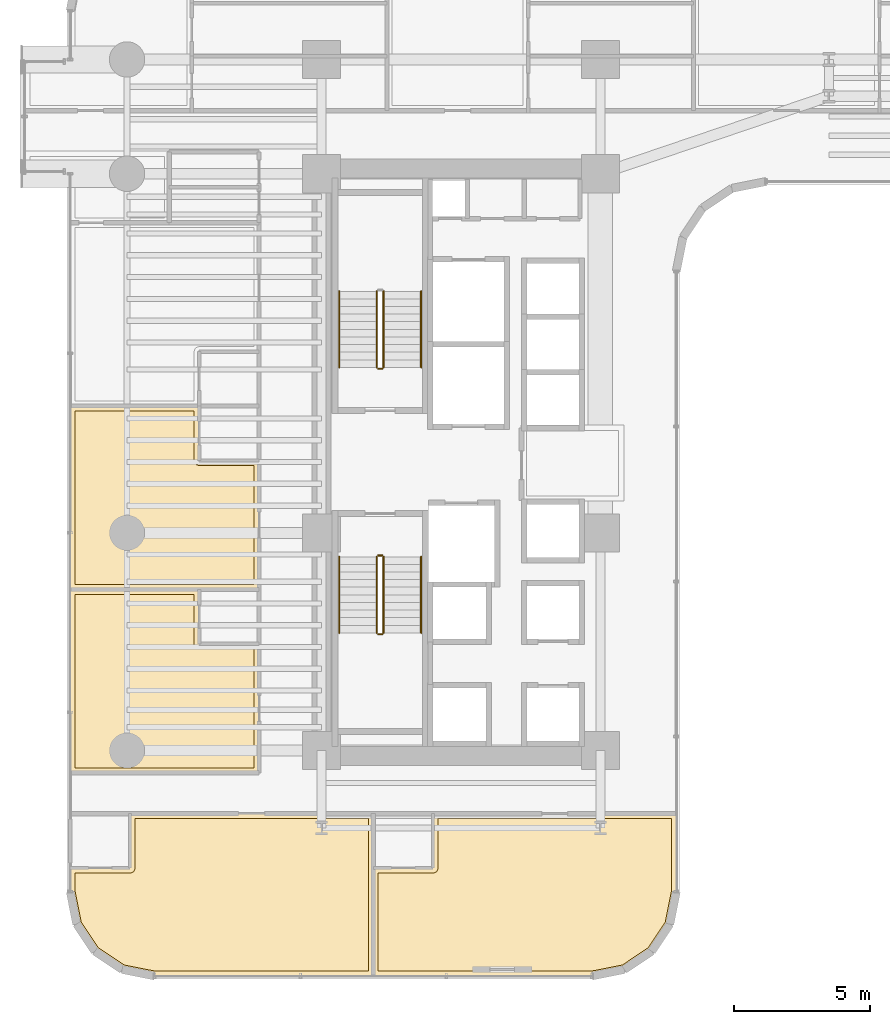
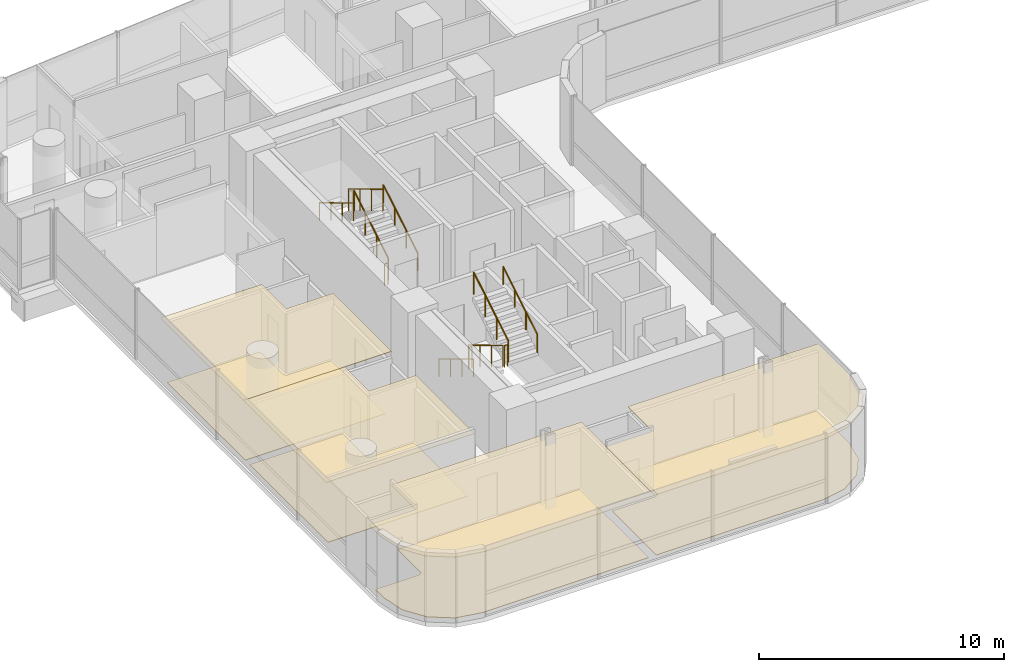
# One storey, part 37 of 42: 11 railings, 8 coverings.
"""IFC4 building model written with IfcOpenShell, lengths in metres."""

from ifc_helpers import new_model, si_unit, direction, frame, origin, origin_2d, place, context, subcontext, project, spatial, polyline, circle, outline, extrude, material, layer, layer_set, type_object, element, save


model = new_model("IFC4")

# Units and contexts
model_context = context("Model", 3, precision=1e-05, world=origin(), true_north=direction((0.0, 1.0)))
body_context = subcontext(model_context, "Body", "Model", "MODEL_VIEW")
ifc_project = project(units=[si_unit("LENGTHUNIT", "METRE"), si_unit("AREAUNIT", "SQUARE_METRE"), si_unit("VOLUMEUNIT", "CUBIC_METRE"), si_unit("PLANEANGLEUNIT", "RADIAN"), si_unit("MASSUNIT", "GRAM", prefix="KILO")], contexts=[model_context])

# Site, building, storey
site_placement = place(None, origin())
site = spatial("IfcSite", under=ifc_project, at=site_placement, CompositionType="ELEMENT")
building_placement = place(site_placement, origin())
building = spatial("IfcBuilding", under=site, at=building_placement, Name="Valdorenza Pilgrim Sanctuary Tower", CompositionType="ELEMENT")
storey_placement = place(building_placement, frame((0.0, 0.0, 55.60009765625)))
storey = spatial("IfcBuildingStorey", under=building, at=storey_placement, Name="L13", CompositionType="ELEMENT", Elevation=55.60009765625)

# Coverings
ifc_material_1 = material(Name="Micro-perforated acoustic mineral ceiling tile", Category="gypsum")
ifc_layer_1 = layer(ifc_material_1, 0.02490234375, Name="Micro-perforated acoustic mineral ceiling tile")
ifc_layer_set_1 = layer_set([ifc_layer_1], Name="Micro-perforated acoustic mineral ceiling tile")
covering_type_1 = type_object("IfcCoveringType", Name="COV-CLG-ACU", PredefinedType="CEILING", material=ifc_layer_set_1)
covering_1_placement = place(storey_placement, frame((0.0, 0.0, 3.159912109375)))
element("IfcCovering", 1, at=covering_1_placement, inside=storey, type_object=covering_type_1, Name="L13 Sanctuary Guest Room L13-W1 Acoustic Ceiling", PredefinedType="CEILING", context=body_context, shape_type="SweptSolid", body=[
    extrude(outline(polyline([(-31.905029296875, -4.679931640625), (-31.90478515625, -4.678466796875), (-31.90478515625, -4.677001953125), (-31.904296875, -4.675537109375), (-31.90380859375, -4.67431640625), (-31.9033203125, -4.6728515625), (-31.902587890625, -4.671630859375), (-31.901611328125, -4.67041015625), (-31.900634765625, -4.66943359375), (-31.8994140625, -4.66845703125), (-31.898193359375, -4.66748046875), (-31.897216796875, -4.666748046875), (-31.895751953125, -4.666015625), (-31.894287109375, -4.66552734375), (-31.892822265625, -4.665283203125), (-31.8916015625, -4.6650390625), (-31.889892578125, -4.6650390625), (-27.152099609375, -4.6650390625), (-27.150390625, -4.6650390625), (-27.149169921875, -4.665283203125), (-27.147705078125, -4.66552734375), (-27.146240234375, -4.666015625), (-27.14501953125, -4.666748046875), (-27.143798828125, -4.66748046875), (-27.142578125, -4.66845703125), (-27.141357421875, -4.66943359375), (-27.140380859375, -4.67041015625), (-27.139404296875, -4.671630859375), (-27.138916015625, -4.6728515625), (-27.13818359375, -4.67431640625), (-27.1376953125, -4.675537109375), (-27.13720703125, -4.677001953125), (-27.13720703125, -4.678466796875), (-27.136962890625, -4.679931640625), (-27.136962890625, -6.6669921875), (-24.949951171875, -6.6669921875), (-24.948486328125, -6.6669921875), (-24.947021484375, -6.667236328125), (-24.945556640625, -6.66748046875), (-24.9443359375, -6.668212890625), (-24.94287109375, -6.668701171875), (-24.941650390625, -6.66943359375), (-24.9404296875, -6.67041015625), (-24.939453125, -6.67138671875), (-24.9384765625, -6.672607421875), (-24.9375, -6.673583984375), (-24.936767578125, -6.6748046875), (-24.93603515625, -6.67626953125), (-24.935546875, -6.677490234375), (-24.935302734375, -6.67919921875), (-24.93505859375, -6.680419921875), (-24.93505859375, -6.681884765625), (-24.93505859375, -11.419921875), (-24.93505859375, -11.42138671875), (-24.935302734375, -11.4228515625), (-24.935546875, -11.42431640625), (-24.93603515625, -11.42578125), (-24.936767578125, -11.427001953125), (-24.9375, -11.42822265625), (-24.9384765625, -11.429443359375), (-24.939453125, -11.4306640625), (-24.9404296875, -11.431640625), (-24.941650390625, -11.4326171875), (-24.94287109375, -11.43310546875), (-24.9443359375, -11.433837890625), (-24.945556640625, -11.434326171875), (-24.947021484375, -11.434814453125), (-24.948486328125, -11.434814453125), (-24.949951171875, -11.43505859375), (-31.889892578125, -11.43505859375), (-31.8916015625, -11.434814453125), (-31.892822265625, -11.434814453125), (-31.894287109375, -11.434326171875), (-31.895751953125, -11.433837890625), (-31.897216796875, -11.43310546875), (-31.898193359375, -11.4326171875), (-31.8994140625, -11.431640625), (-31.900634765625, -11.4306640625), (-31.901611328125, -11.429443359375), (-31.902587890625, -11.42822265625), (-31.9033203125, -11.427001953125), (-31.90380859375, -11.42578125), (-31.904296875, -11.42431640625), (-31.90478515625, -11.4228515625), (-31.90478515625, -11.42138671875), (-31.905029296875, -11.419921875), (-31.905029296875, -4.679931640625)])), origin(), (0.0, 0.0, 1.0), 0.02490234375),
])
covering_2_placement = place(storey_placement, frame((0.0, 0.0, 3.159912109375)))
element("IfcCovering", 2, at=covering_2_placement, inside=storey, type_object=covering_type_1, Name="L13 Sanctuary Guest Room L13-W2 Acoustic Ceiling", PredefinedType="CEILING", context=body_context, shape_type="SweptSolid", body=[
    extrude(outline(polyline([(-31.905029296875, 2.06005859375), (-31.90478515625, 2.0615234375), (-31.90478515625, 2.06298828125), (-31.904296875, 2.064453125), (-31.90380859375, 2.065673828125), (-31.9033203125, 2.067138671875), (-31.902587890625, 2.068359375), (-31.901611328125, 2.069580078125), (-31.900634765625, 2.070556640625), (-31.8994140625, 2.071533203125), (-31.898193359375, 2.072509765625), (-31.897216796875, 2.0732421875), (-31.895751953125, 2.073974609375), (-31.894287109375, 2.074462890625), (-31.892822265625, 2.07470703125), (-31.8916015625, 2.074951171875), (-31.889892578125, 2.074951171875), (-27.152099609375, 2.074951171875), (-27.150390625, 2.074951171875), (-27.149169921875, 2.07470703125), (-27.147705078125, 2.074462890625), (-27.146240234375, 2.073974609375), (-27.14501953125, 2.0732421875), (-27.143798828125, 2.072509765625), (-27.142578125, 2.071533203125), (-27.141357421875, 2.070556640625), (-27.140380859375, 2.069580078125), (-27.139404296875, 2.068359375), (-27.138916015625, 2.067138671875), (-27.13818359375, 2.065673828125), (-27.1376953125, 2.064453125), (-27.13720703125, 2.06298828125), (-27.13720703125, 2.0615234375), (-27.136962890625, 2.06005859375), (-27.136962890625, 0.072998046875), (-24.949951171875, 0.072998046875), (-24.948486328125, 0.072998046875), (-24.947021484375, 0.07275390625), (-24.945556640625, 0.072509765625), (-24.9443359375, 0.072021484375), (-24.94287109375, 0.0712890625), (-24.941650390625, 0.070556640625), (-24.9404296875, 0.069580078125), (-24.939453125, 0.068603515625), (-24.9384765625, 0.0673828125), (-24.9375, 0.06640625), (-24.936767578125, 0.065185546875), (-24.93603515625, 0.063720703125), (-24.935546875, 0.0625), (-24.935302734375, 0.060791015625), (-24.93505859375, 0.0595703125), (-24.93505859375, 0.05810546875), (-24.93505859375, -4.677978515625), (-24.93505859375, -4.679443359375), (-24.935302734375, -4.680908203125), (-24.935546875, -4.682373046875), (-24.93603515625, -4.68359375), (-24.936767578125, -4.68505859375), (-24.9375, -4.686279296875), (-24.9384765625, -4.6875), (-24.939453125, -4.688720703125), (-24.9404296875, -4.689697265625), (-24.941650390625, -4.6904296875), (-24.94287109375, -4.691162109375), (-24.9443359375, -4.69189453125), (-24.945556640625, -4.6923828125), (-24.947021484375, -4.692626953125), (-24.948486328125, -4.69287109375), (-24.949951171875, -4.693115234375), (-27.148193359375, -4.693115234375), (-27.14892578125, -4.693115234375), (-27.150390625, -4.693359375), (-27.152099609375, -4.693115234375), (-27.153564453125, -4.693115234375), (-27.15380859375, -4.693115234375), (-31.889892578125, -4.693115234375), (-31.8916015625, -4.69287109375), (-31.892822265625, -4.692626953125), (-31.894287109375, -4.6923828125), (-31.895751953125, -4.69189453125), (-31.897216796875, -4.691162109375), (-31.898193359375, -4.6904296875), (-31.8994140625, -4.689697265625), (-31.900634765625, -4.688720703125), (-31.901611328125, -4.6875), (-31.902587890625, -4.686279296875), (-31.9033203125, -4.68505859375), (-31.90380859375, -4.68359375), (-31.904296875, -4.682373046875), (-31.90478515625, -4.680908203125), (-31.90478515625, -4.679443359375), (-31.905029296875, -4.677978515625), (-31.905029296875, 2.06005859375)])), origin(), (0.0, 0.0, 1.0), 0.02490234375),
])
covering_3_placement = place(storey_placement, frame((0.0, 0.0, 3.159912109375)))
element("IfcCovering", 3, at=covering_3_placement, inside=storey, type_object=covering_type_1, Name="L13 South Sanctuary Guest Room L13-S1A Acoustic Ceiling", PredefinedType="CEILING", context=body_context, shape_type="SweptSolid", body=[
    extrude(outline(polyline([(-29.702880859375, -14.906982421875), (-29.702880859375, -12.919921875), (-29.702880859375, -12.91845703125), (-29.70263671875, -12.9169921875), (-29.702392578125, -12.91552734375), (-29.701904296875, -12.914306640625), (-29.701171875, -12.912841796875), (-29.700439453125, -12.91162109375), (-29.69970703125, -12.910400390625), (-29.698486328125, -12.909423828125), (-29.697509765625, -12.908447265625), (-29.6962890625, -12.907470703125), (-29.695068359375, -12.90673828125), (-29.693603515625, -12.906005859375), (-29.6923828125, -12.905517578125), (-29.69091796875, -12.9052734375), (-29.689453125, -12.905029296875), (-29.68798828125, -12.905029296875), (-20.75, -12.905029296875), (-20.74853515625, -12.905029296875), (-20.7470703125, -12.9052734375), (-20.74560546875, -12.905517578125), (-20.744384765625, -12.906005859375), (-20.742919921875, -12.90673828125), (-20.74169921875, -12.907470703125), (-20.740478515625, -12.908447265625), (-20.739501953125, -12.909423828125), (-20.73828125, -12.910400390625), (-20.737548828125, -12.91162109375), (-20.73681640625, -12.912841796875), (-20.736083984375, -12.914306640625), (-20.735595703125, -12.91552734375), (-20.7353515625, -12.9169921875), (-20.735107421875, -12.91845703125), (-20.735107421875, -12.919921875), (-20.735107421875, -18.889892578125), (-20.735107421875, -18.8916015625), (-20.7353515625, -18.892822265625), (-20.735595703125, -18.894287109375), (-20.736083984375, -18.895751953125), (-20.73681640625, -18.897216796875), (-20.737548828125, -18.898193359375), (-20.73828125, -18.8994140625), (-20.739501953125, -18.900634765625), (-20.740478515625, -18.901611328125), (-20.74169921875, -18.902587890625), (-20.742919921875, -18.9033203125), (-20.744384765625, -18.90380859375), (-20.74560546875, -18.904296875), (-20.7470703125, -18.90478515625), (-20.74853515625, -18.90478515625), (-20.75, -18.905029296875), (-28.789306640625, -18.905029296875), (-28.79052734375, -18.90478515625), (-28.7919921875, -18.90478515625), (-29.984619140625, -18.66748046875), (-29.986083984375, -18.6669921875), (-29.9873046875, -18.66650390625), (-29.98876953125, -18.666015625), (-29.989990234375, -18.665283203125), (-30.99169921875, -17.995849609375), (-30.992919921875, -17.9951171875), (-30.993896484375, -17.993896484375), (-30.9951171875, -17.992919921875), (-30.995849609375, -17.99169921875), (-31.665283203125, -16.989990234375), (-31.666015625, -16.98876953125), (-31.66650390625, -16.9873046875), (-31.6669921875, -16.986083984375), (-31.66748046875, -16.984619140625), (-31.90478515625, -15.7919921875), (-31.90478515625, -15.79052734375), (-31.905029296875, -15.789306640625), (-31.905029296875, -14.922119140625), (-31.90478515625, -14.92041015625), (-31.90478515625, -14.919189453125), (-31.904296875, -14.91748046875), (-31.90380859375, -14.916259765625), (-31.9033203125, -14.914794921875), (-31.902587890625, -14.913818359375), (-31.901611328125, -14.91259765625), (-31.900634765625, -14.911376953125), (-31.8994140625, -14.910400390625), (-31.898193359375, -14.909423828125), (-31.897216796875, -14.90869140625), (-31.895751953125, -14.908203125), (-31.894287109375, -14.90771484375), (-31.892822265625, -14.9072265625), (-31.8916015625, -14.906982421875), (-31.889892578125, -14.906982421875), (-29.702880859375, -14.906982421875)])), origin(), (0.0, 0.0, 1.0), 0.02490234375),
])
covering_4_placement = place(storey_placement, frame((0.0, 0.0, 3.159912109375)))
element("IfcCovering", 4, at=covering_4_placement, inside=storey, type_object=covering_type_1, Name="L13 South Sanctuary Guest Room L13-S1B Acoustic Ceiling", PredefinedType="CEILING", context=body_context, shape_type="SweptSolid", body=[
    extrude(outline(polyline([(-18.56298828125, -14.906982421875), (-18.56298828125, -12.919921875), (-18.56298828125, -12.91845703125), (-18.562744140625, -12.9169921875), (-18.5625, -12.91552734375), (-18.56201171875, -12.914306640625), (-18.561279296875, -12.912841796875), (-18.560546875, -12.91162109375), (-18.5595703125, -12.910400390625), (-18.55859375, -12.909423828125), (-18.5576171875, -12.908447265625), (-18.556396484375, -12.907470703125), (-18.55517578125, -12.90673828125), (-18.5537109375, -12.906005859375), (-18.552490234375, -12.905517578125), (-18.55078125, -12.9052734375), (-18.549560546875, -12.905029296875), (-18.548095703125, -12.905029296875), (-9.610107421875, -12.905029296875), (-9.6083984375, -12.905029296875), (-9.607177734375, -12.9052734375), (-9.605712890625, -12.905517578125), (-9.604248046875, -12.906005859375), (-9.602783203125, -12.90673828125), (-9.601806640625, -12.907470703125), (-9.6005859375, -12.908447265625), (-9.599365234375, -12.909423828125), (-9.598388671875, -12.910400390625), (-9.597412109375, -12.91162109375), (-9.5966796875, -12.912841796875), (-9.59619140625, -12.914306640625), (-9.595703125, -12.91552734375), (-9.59521484375, -12.9169921875), (-9.59521484375, -12.91845703125), (-9.594970703125, -12.919921875), (-9.594970703125, -15.789306640625), (-9.59521484375, -15.79052734375), (-9.59521484375, -15.7919921875), (-9.83251953125, -16.984619140625), (-9.8330078125, -16.986083984375), (-9.83349609375, -16.9873046875), (-9.833984375, -16.98876953125), (-9.834716796875, -16.989990234375), (-10.504150390625, -17.99169921875), (-10.5048828125, -17.992919921875), (-10.506103515625, -17.993896484375), (-10.507080078125, -17.9951171875), (-10.50830078125, -17.995849609375), (-11.510009765625, -18.665283203125), (-11.51123046875, -18.666015625), (-11.5126953125, -18.66650390625), (-11.513916015625, -18.6669921875), (-11.515380859375, -18.66748046875), (-12.7080078125, -18.90478515625), (-12.70947265625, -18.90478515625), (-12.710693359375, -18.905029296875), (-20.748046875, -18.905029296875), (-20.74951171875, -18.90478515625), (-20.7509765625, -18.90478515625), (-20.75244140625, -18.904296875), (-20.753662109375, -18.90380859375), (-20.755126953125, -18.9033203125), (-20.75634765625, -18.902587890625), (-20.757568359375, -18.901611328125), (-20.758544921875, -18.900634765625), (-20.759521484375, -18.8994140625), (-20.760498046875, -18.898193359375), (-20.76123046875, -18.897216796875), (-20.761962890625, -18.895751953125), (-20.762451171875, -18.894287109375), (-20.7626953125, -18.892822265625), (-20.762939453125, -18.8916015625), (-20.762939453125, -18.889892578125), (-20.762939453125, -14.922119140625), (-20.762939453125, -14.92041015625), (-20.7626953125, -14.919189453125), (-20.762451171875, -14.91748046875), (-20.761962890625, -14.916259765625), (-20.76123046875, -14.914794921875), (-20.760498046875, -14.913818359375), (-20.759521484375, -14.91259765625), (-20.758544921875, -14.911376953125), (-20.757568359375, -14.910400390625), (-20.75634765625, -14.909423828125), (-20.755126953125, -14.90869140625), (-20.753662109375, -14.908203125), (-20.75244140625, -14.90771484375), (-20.7509765625, -14.9072265625), (-20.74951171875, -14.906982421875), (-20.748046875, -14.906982421875), (-18.56298828125, -14.906982421875)])), origin(), (0.0, 0.0, 1.0), 0.02490234375),
])
ifc_material_2 = material(Name="Engineered European oak timber flooring", Category="wood")
ifc_layer_2 = layer(ifc_material_2, 0.02197265625, Name="Engineered European oak timber flooring")
ifc_layer_set_2 = layer_set([ifc_layer_2], Name="Engineered European oak timber flooring")
covering_type_2 = type_object("IfcCoveringType", Name="COV-FLR-OAK", PredefinedType="FLOORING", material=ifc_layer_set_2)
covering_5_placement = place(storey_placement, origin())
element("IfcCovering", 5, at=covering_5_placement, inside=storey, type_object=covering_type_2, Name="L13 Sanctuary Guest Room L13-W1 Flooring", PredefinedType="FLOORING", context=body_context, shape_type="SweptSolid", body=[
    extrude(outline(polyline([(-31.7099609375, -4.860107421875), (-27.33203125, -4.860107421875), (-27.33203125, -6.679931640625), (-27.331787109375, -6.688720703125), (-27.331787109375, -6.68896484375), (-27.330078125, -6.70654296875), (-27.330078125, -6.706787109375), (-27.32666015625, -6.72412109375), (-27.326416015625, -6.724365234375), (-27.3212890625, -6.7412109375), (-27.3212890625, -6.741455078125), (-27.314697265625, -6.7578125), (-27.314453125, -6.7578125), (-27.30615234375, -6.7734375), (-27.30615234375, -6.773681640625), (-27.296142578125, -6.788330078125), (-27.296142578125, -6.78857421875), (-27.284912109375, -6.802001953125), (-27.284912109375, -6.80224609375), (-27.272216796875, -6.814697265625), (-27.272216796875, -6.81494140625), (-27.258544921875, -6.826171875), (-27.25830078125, -6.826171875), (-27.24365234375, -6.836181640625), (-27.243408203125, -6.836181640625), (-27.227783203125, -6.844482421875), (-27.227783203125, -6.844482421875), (-27.21142578125, -6.851318359375), (-27.211181640625, -6.851318359375), (-27.1943359375, -6.8564453125), (-27.194091796875, -6.856689453125), (-27.1767578125, -6.860107421875), (-27.176513671875, -6.860107421875), (-27.158935546875, -6.86181640625), (-27.15869140625, -6.86181640625), (-27.14990234375, -6.862060546875), (-25.1298828125, -6.862060546875), (-25.1298828125, -11.239990234375), (-31.7099609375, -11.239990234375), (-31.7099609375, -4.860107421875)])), origin(), (0.0, 0.0, 1.0), 0.02490234375),
])
covering_6_placement = place(storey_placement, origin())
element("IfcCovering", 6, at=covering_6_placement, inside=storey, type_object=covering_type_2, Name="L13 Sanctuary Guest Room L13-W2 Flooring", PredefinedType="FLOORING", context=body_context, shape_type="SweptSolid", body=[
    extrude(outline(polyline([(-31.7099609375, 1.8798828125), (-27.33203125, 1.8798828125), (-27.33203125, 0.06005859375), (-27.331787109375, 0.05126953125), (-27.331787109375, 0.051025390625), (-27.330078125, 0.033447265625), (-27.330078125, 0.033203125), (-27.32666015625, 0.015869140625), (-27.326416015625, 0.015625), (-27.3212890625, -0.001220703125), (-27.3212890625, -0.00146484375), (-27.314697265625, -0.017578125), (-27.314453125, -0.017822265625), (-27.30615234375, -0.033447265625), (-27.30615234375, -0.03369140625), (-27.296142578125, -0.04833984375), (-27.296142578125, -0.048583984375), (-27.284912109375, -0.06201171875), (-27.284912109375, -0.062255859375), (-27.272216796875, -0.07470703125), (-27.272216796875, -0.074951171875), (-27.258544921875, -0.086181640625), (-27.25830078125, -0.086181640625), (-27.24365234375, -0.09619140625), (-27.243408203125, -0.09619140625), (-27.227783203125, -0.1044921875), (-27.227783203125, -0.1044921875), (-27.21142578125, -0.111328125), (-27.211181640625, -0.111328125), (-27.1943359375, -0.116455078125), (-27.194091796875, -0.11669921875), (-27.1767578125, -0.1201171875), (-27.176513671875, -0.1201171875), (-27.158935546875, -0.121826171875), (-27.15869140625, -0.121826171875), (-27.14990234375, -0.1220703125), (-25.1298828125, -0.1220703125), (-25.1298828125, -4.498046875), (-27.14990234375, -4.498046875), (-27.15087890625, -4.498046875), (-27.151611328125, -4.498046875), (-27.152099609375, -4.498046875), (-31.7099609375, -4.498046875), (-31.7099609375, 1.8798828125)])), origin(), (0.0, 0.0, 1.0), 0.02490234375),
])
covering_7_placement = place(storey_placement, origin())
element("IfcCovering", 7, at=covering_7_placement, inside=storey, type_object=covering_type_2, Name="L13 South Sanctuary Guest Room L13-S1A Flooring", PredefinedType="FLOORING", context=body_context, shape_type="SweptSolid", body=[
    extrude(outline(polyline([(-28.771484375, -18.7099609375), (-29.911376953125, -18.483154296875), (-30.853515625, -17.853515625), (-31.483154296875, -16.911376953125), (-31.7099609375, -15.771484375), (-31.7099609375, -15.10205078125), (-29.68994140625, -15.10205078125), (-29.68115234375, -15.101806640625), (-29.680908203125, -15.101806640625), (-29.663330078125, -15.10009765625), (-29.6630859375, -15.10009765625), (-29.64599609375, -15.0966796875), (-29.645751953125, -15.096435546875), (-29.62890625, -15.09130859375), (-29.628662109375, -15.09130859375), (-29.6123046875, -15.084716796875), (-29.612060546875, -15.08447265625), (-29.596435546875, -15.076171875), (-29.596435546875, -15.076171875), (-29.581787109375, -15.066162109375), (-29.58154296875, -15.066162109375), (-29.56787109375, -15.054931640625), (-29.567626953125, -15.0546875), (-29.55517578125, -15.042236328125), (-29.55517578125, -15.0419921875), (-29.5439453125, -15.028564453125), (-29.543701171875, -15.0283203125), (-29.533935546875, -15.013671875), (-29.53369140625, -15.013427734375), (-29.525390625, -14.997802734375), (-29.525390625, -14.997802734375), (-29.518798828125, -14.9814453125), (-29.5185546875, -14.981201171875), (-29.513427734375, -14.96435546875), (-29.513427734375, -14.964111328125), (-29.510009765625, -14.94677734375), (-29.510009765625, -14.946533203125), (-29.50830078125, -14.928955078125), (-29.50830078125, -14.9287109375), (-29.508056640625, -14.919921875), (-29.508056640625, -13.10009765625), (-20.929931640625, -13.10009765625), (-20.929931640625, -18.7099609375), (-28.771484375, -18.7099609375)])), origin(), (0.0, 0.0, 1.0), 0.02490234375),
])
covering_8_placement = place(storey_placement, origin())
element("IfcCovering", 8, at=covering_8_placement, inside=storey, type_object=covering_type_2, Name="L13 South Sanctuary Guest Room L13-S1B Flooring", PredefinedType="FLOORING", context=body_context, shape_type="SweptSolid", body=[
    extrude(outline(polyline([(-10.016845703125, -16.911376953125), (-10.646484375, -17.853515625), (-11.588623046875, -18.483154296875), (-12.728515625, -18.7099609375), (-20.568115234375, -18.7099609375), (-20.568115234375, -15.10205078125), (-18.550048828125, -15.10205078125), (-18.541259765625, -15.101806640625), (-18.541015625, -15.101806640625), (-18.5234375, -15.10009765625), (-18.523193359375, -15.10009765625), (-18.505859375, -15.0966796875), (-18.505615234375, -15.096435546875), (-18.48876953125, -15.09130859375), (-18.488525390625, -15.09130859375), (-18.472412109375, -15.084716796875), (-18.47216796875, -15.08447265625), (-18.45654296875, -15.076171875), (-18.456298828125, -15.076171875), (-18.441650390625, -15.066162109375), (-18.44140625, -15.066162109375), (-18.427978515625, -15.054931640625), (-18.427734375, -15.0546875), (-18.415283203125, -15.042236328125), (-18.4150390625, -15.0419921875), (-18.40380859375, -15.028564453125), (-18.40380859375, -15.0283203125), (-18.393798828125, -15.013671875), (-18.393798828125, -15.013427734375), (-18.385498046875, -14.997802734375), (-18.385498046875, -14.997802734375), (-18.378662109375, -14.9814453125), (-18.378662109375, -14.981201171875), (-18.37353515625, -14.96435546875), (-18.373291015625, -14.964111328125), (-18.3701171875, -14.94677734375), (-18.3701171875, -14.946533203125), (-18.3681640625, -14.928955078125), (-18.3681640625, -14.9287109375), (-18.367919921875, -14.919921875), (-18.367919921875, -13.10009765625), (-9.7900390625, -13.10009765625), (-9.7900390625, -15.771484375), (-10.016845703125, -16.911376953125)])), origin(), (0.0, 0.0, 1.0), 0.02490234375),
])

# Railings
ifc_material_3 = material(Name="Stainless steel Grade 316", Category="steel")
railing_type_1 = type_object("IfcRailingType", Name="RLG-GRD-1120", PredefinedType="GUARDRAIL", material=ifc_material_3)
railing_1_placement = place(storey_placement, frame((-20.3701171875, 3.47998046875, 0.16796875)))
element("IfcRailing", 9, at=railing_1_placement, inside=storey, type_object=railing_type_1, Name="L13 ST-A1 stair guard 1", PredefinedType="GUARDRAIL", context=body_context, shape_type="SweptSolid", body=[
    extrude(circle(Radius=0.02392578125, at=origin_2d()), frame((0.0, 0.0, 1.076171875), z_axis=(0.0, 0.857242210791, 0.514913383045), x_axis=(-1.0, 0.0, 0.0)), (0.0, 0.0, 1.0), 3.266357421875),
    extrude(circle(Radius=0.02099609375, at=origin_2d()), origin(), (0.0, 0.0, 1.0), 1.052001953125),
    extrude(circle(Radius=0.02099609375, at=origin_2d()), frame((0.0, 0.933349609375, 0.560546875)), (0.0, 0.0, 1.0), 1.052001953125),
    extrude(circle(Radius=0.02099609375, at=origin_2d()), frame((0.0, 1.86669921875, 1.121337890625)), (0.0, 0.0, 1.0), 1.052001953125),
    extrude(circle(Radius=0.02099609375, at=origin_2d()), frame((0.0, 2.800048828125, 1.681884765625)), (0.0, 0.0, 1.0), 1.052001953125),
])
railing_2_placement = place(storey_placement, frame((-20.6201171875, 6.280029296875, 2.01806640625)))
element("IfcRailing", 10, at=railing_2_placement, inside=storey, type_object=railing_type_1, Name="L13 ST-A1 stair guard 3", PredefinedType="GUARDRAIL", context=body_context, shape_type="SweptSolid", body=[
    extrude(circle(Radius=0.02392578125, at=origin_2d()), frame((0.0, 0.0, 1.076171875), z_axis=(0.0, -0.857242210791, 0.514913383045), x_axis=(1.0, 0.0, 0.0)), (0.0, 0.0, 1.0), 3.266357421875),
    extrude(circle(Radius=0.02099609375, at=origin_2d()), origin(), (0.0, 0.0, 1.0), 1.052001953125),
    extrude(circle(Radius=0.02099609375, at=origin_2d()), frame((0.0, -0.933349609375, 0.560546875)), (0.0, 0.0, 1.0), 1.052001953125),
    extrude(circle(Radius=0.02099609375, at=origin_2d()), frame((0.0, -1.86669921875, 1.121337890625)), (0.0, 0.0, 1.0), 1.052001953125),
    extrude(circle(Radius=0.02099609375, at=origin_2d()), frame((0.0, -2.800048828125, 1.681884765625)), (0.0, 0.0, 1.0), 1.052001953125),
])
railing_3_placement = place(storey_placement, frame((-20.419921875, 3.429931640625, 0.0)))
element("IfcRailing", 11, at=railing_3_placement, inside=storey, type_object=railing_type_1, Name="L13 ST-A1 stair guard 4", PredefinedType="GUARDRAIL", context=body_context, shape_type="SweptSolid", body=[
    extrude(circle(Radius=0.02392578125, at=origin_2d()), frame((0.0, 0.0, 1.076171875), z_axis=(-1.0, 0.0, 0.0), x_axis=(0.0, -1.0, 0.0)), (0.0, 0.0, 1.0), 0.150146484375),
    extrude(circle(Radius=0.02099609375, at=origin_2d()), origin(), (0.0, 0.0, 1.0), 1.052001953125),
    extrude(circle(Radius=0.02099609375, at=origin_2d()), frame((-0.150146484375, 0.0, 0.0)), (0.0, 0.0, 1.0), 1.052001953125),
])
railing_4_placement = place(storey_placement, frame((-20.6201171875, -3.47998046875, 0.16796875)))
element("IfcRailing", 12, at=railing_4_placement, inside=storey, type_object=railing_type_1, Name="L13 ST-A2 stair guard 1", PredefinedType="GUARDRAIL", context=body_context, shape_type="SweptSolid", body=[
    extrude(circle(Radius=0.02392578125, at=origin_2d()), frame((0.0, 0.0, 1.076171875), z_axis=(0.0, -0.857242210791, 0.514913383045), x_axis=(1.0, 0.0, 0.0)), (0.0, 0.0, 1.0), 3.266357421875),
    extrude(circle(Radius=0.02099609375, at=origin_2d()), origin(), (0.0, 0.0, 1.0), 1.052001953125),
    extrude(circle(Radius=0.02099609375, at=origin_2d()), frame((0.0, -0.933349609375, 0.560546875)), (0.0, 0.0, 1.0), 1.052001953125),
    extrude(circle(Radius=0.02099609375, at=origin_2d()), frame((0.0, -1.86669921875, 1.121337890625)), (0.0, 0.0, 1.0), 1.052001953125),
    extrude(circle(Radius=0.02099609375, at=origin_2d()), frame((0.0, -2.800048828125, 1.681884765625)), (0.0, 0.0, 1.0), 1.052001953125),
])
railing_5_placement = place(storey_placement, frame((-20.570068359375, -6.330078125, 1.849853515625)))
element("IfcRailing", 13, at=railing_5_placement, inside=storey, type_object=railing_type_1, Name="L13 ST-A2 stair guard 2", PredefinedType="GUARDRAIL", context=body_context, shape_type="SweptSolid", body=[
    extrude(circle(Radius=0.02392578125, at=origin_2d()), frame((0.0, 0.0, 1.076171875), z_axis=(1.0, 0.0, 0.0), x_axis=(0.0, 1.0, 0.0)), (0.0, 0.0, 1.0), 0.150146484375),
    extrude(circle(Radius=0.02099609375, at=origin_2d()), origin(), (0.0, 0.0, 1.0), 1.052001953125),
    extrude(circle(Radius=0.02099609375, at=origin_2d()), frame((0.150146484375, 0.0, 0.0)), (0.0, 0.0, 1.0), 1.052001953125),
])
railing_6_placement = place(storey_placement, frame((-20.3701171875, -6.280029296875, 2.01806640625)))
element("IfcRailing", 14, at=railing_6_placement, inside=storey, type_object=railing_type_1, Name="L13 ST-A2 stair guard 3", PredefinedType="GUARDRAIL", context=body_context, shape_type="SweptSolid", body=[
    extrude(circle(Radius=0.02392578125, at=origin_2d()), frame((0.0, 0.0, 1.076171875), z_axis=(0.0, 0.857242210791, 0.514913383045), x_axis=(-1.0, 0.0, 0.0)), (0.0, 0.0, 1.0), 3.266357421875),
    extrude(circle(Radius=0.02099609375, at=origin_2d()), origin(), (0.0, 0.0, 1.0), 1.052001953125),
    extrude(circle(Radius=0.02099609375, at=origin_2d()), frame((0.0, 0.933349609375, 0.560546875)), (0.0, 0.0, 1.0), 1.052001953125),
    extrude(circle(Radius=0.02099609375, at=origin_2d()), frame((0.0, 1.86669921875, 1.121337890625)), (0.0, 0.0, 1.0), 1.052001953125),
    extrude(circle(Radius=0.02099609375, at=origin_2d()), frame((0.0, 2.800048828125, 1.681884765625)), (0.0, 0.0, 1.0), 1.052001953125),
])
railing_7_placement = place(storey_placement, frame((-20.570068359375, -3.429931640625, 0.0)))
element("IfcRailing", 15, at=railing_7_placement, inside=storey, type_object=railing_type_1, Name="L13 ST-A2 stair guard 4", PredefinedType="GUARDRAIL", context=body_context, shape_type="SweptSolid", body=[
    extrude(circle(Radius=0.02392578125, at=origin_2d()), frame((0.0, 0.0, 1.076171875), z_axis=(1.0, 0.0, 0.0), x_axis=(0.0, 1.0, 0.0)), (0.0, 0.0, 1.0), 0.150146484375),
    extrude(circle(Radius=0.02099609375, at=origin_2d()), origin(), (0.0, 0.0, 1.0), 1.052001953125),
    extrude(circle(Radius=0.02099609375, at=origin_2d()), frame((0.150146484375, 0.0, 0.0)), (0.0, 0.0, 1.0), 1.052001953125),
])
ifc_material_4 = material(Name="Brushed stainless steel Grade 316", Category="steel")
railing_type_2 = type_object("IfcRailingType", Name="RLG-HND-920", PredefinedType="HANDRAIL", material=ifc_material_4)
railing_8_placement = place(storey_placement, frame((-18.989990234375, 3.47998046875, 0.16796875)))
element("IfcRailing", 16, at=railing_8_placement, inside=storey, type_object=railing_type_2, Name="L13 ST-A1 stair handrail 1", PredefinedType="HANDRAIL", context=body_context, shape_type="SweptSolid", body=[
    extrude(circle(Radius=0.02392578125, at=origin_2d()), frame((0.0, 0.0, 0.8759765625), z_axis=(0.0, 0.857242210791, 0.514913383045), x_axis=(-1.0, 0.0, 0.0)), (0.0, 0.0, 1.0), 3.266357421875),
    extrude(circle(Radius=0.02099609375, at=origin_2d()), origin(), (0.0, 0.0, 1.0), 0.851806640625),
    extrude(circle(Radius=0.02099609375, at=origin_2d()), frame((0.0, 0.933349609375, 0.560546875)), (0.0, 0.0, 1.0), 0.851806640625),
    extrude(circle(Radius=0.02099609375, at=origin_2d()), frame((0.0, 1.86669921875, 1.121337890625)), (0.0, 0.0, 1.0), 0.851806640625),
    extrude(circle(Radius=0.02099609375, at=origin_2d()), frame((0.0, 2.800048828125, 1.681884765625)), (0.0, 0.0, 1.0), 0.851806640625),
])
for number, where, name in (
    (17, (-22.0, 6.280029296875, 2.01806640625), "L13 ST-A1 stair handrail 2"),
    (18, (-22.0, -3.47998046875, 0.16796875), "L13 ST-A2 stair handrail 1"),
):
    element("IfcRailing", number, at=place(storey_placement, frame(where)), inside=storey, type_object=railing_type_2, Name=name, PredefinedType="HANDRAIL", context=body_context, shape_type="SweptSolid", body=[
        extrude(circle(Radius=0.02392578125, at=origin_2d()), frame((0.0, 0.0, 0.8759765625), z_axis=(0.0, -0.857242210791, 0.514913383045), x_axis=(1.0, 0.0, 0.0)), (0.0, 0.0, 1.0), 3.266357421875),
        extrude(circle(Radius=0.02099609375, at=origin_2d()), origin(), (0.0, 0.0, 1.0), 0.851806640625),
        extrude(circle(Radius=0.02099609375, at=origin_2d()), frame((0.0, -0.933349609375, 0.560546875)), (0.0, 0.0, 1.0), 0.851806640625),
        extrude(circle(Radius=0.02099609375, at=origin_2d()), frame((0.0, -1.86669921875, 1.121337890625)), (0.0, 0.0, 1.0), 0.851806640625),
        extrude(circle(Radius=0.02099609375, at=origin_2d()), frame((0.0, -2.800048828125, 1.681884765625)), (0.0, 0.0, 1.0), 0.851806640625),
    ])
railing_9_placement = place(storey_placement, frame((-18.989990234375, -6.280029296875, 2.01806640625)))
element("IfcRailing", 19, at=railing_9_placement, inside=storey, type_object=railing_type_2, Name="L13 ST-A2 stair handrail 2", PredefinedType="HANDRAIL", context=body_context, shape_type="SweptSolid", body=[
    extrude(circle(Radius=0.02392578125, at=origin_2d()), frame((0.0, 0.0, 0.8759765625), z_axis=(0.0, 0.857242210791, 0.514913383045), x_axis=(-1.0, 0.0, 0.0)), (0.0, 0.0, 1.0), 3.266357421875),
    extrude(circle(Radius=0.02099609375, at=origin_2d()), origin(), (0.0, 0.0, 1.0), 0.851806640625),
    extrude(circle(Radius=0.02099609375, at=origin_2d()), frame((0.0, 0.933349609375, 0.560546875)), (0.0, 0.0, 1.0), 0.851806640625),
    extrude(circle(Radius=0.02099609375, at=origin_2d()), frame((0.0, 1.86669921875, 1.121337890625)), (0.0, 0.0, 1.0), 0.851806640625),
    extrude(circle(Radius=0.02099609375, at=origin_2d()), frame((0.0, 2.800048828125, 1.681884765625)), (0.0, 0.0, 1.0), 0.851806640625),
])

save(model, "model.ifc")
